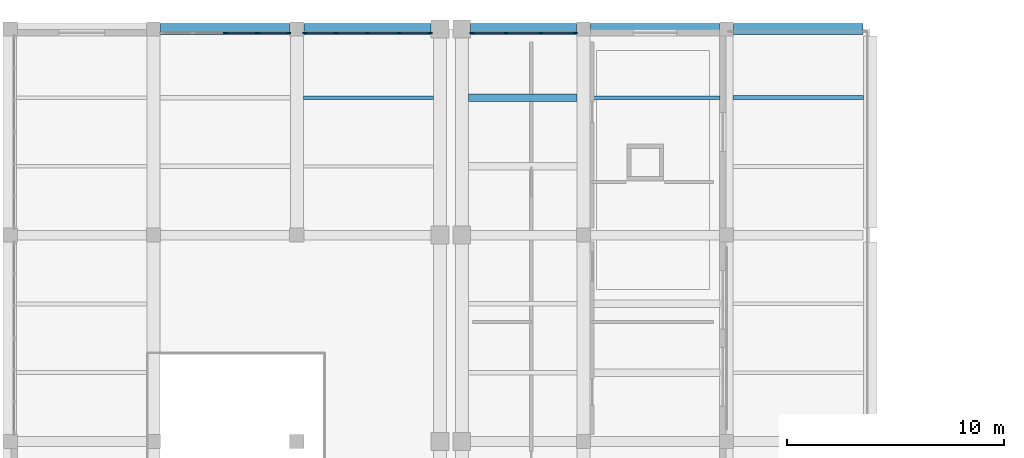
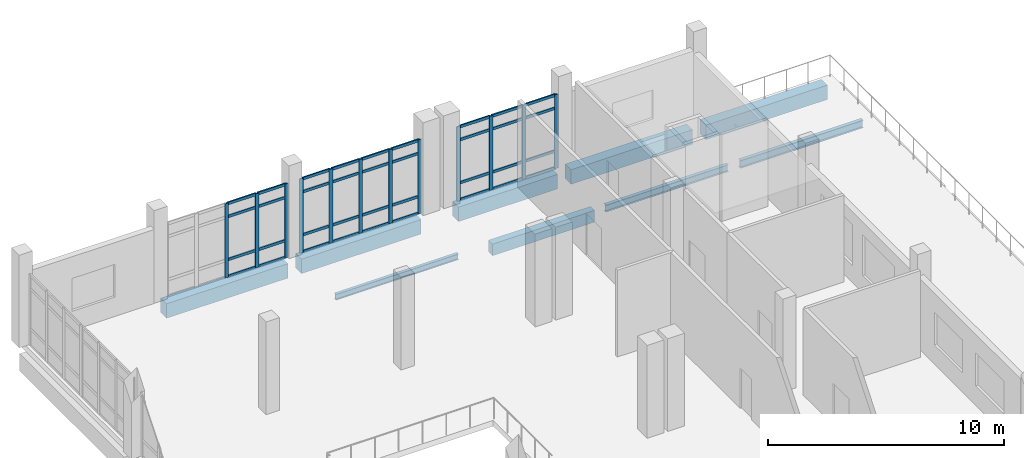
# One storey, part 31 of 73: 48 members, 9 beams, 3 elements without a shape of their own.
"""IFC4 building model written with IfcOpenShell, lengths in metres."""

from ifc_helpers import new_model, si_unit, direction, frame, origin, origin_2d, place, context, subcontext, project, spatial, rectangle, i_section, extrude, material, layer, layer_set, material_profile, profile_set, type_object, element, aggregate, save


model = new_model("IFC4")

# Units and contexts
model_context = context("Model", 3, precision=1e-05, world=origin(), true_north=direction((0.0, 1.0)))
body_context = subcontext(model_context, "Body", "Model", "MODEL_VIEW")
ifc_project = project(units=[si_unit("LENGTHUNIT", "METRE"), si_unit("AREAUNIT", "SQUARE_METRE"), si_unit("VOLUMEUNIT", "CUBIC_METRE"), si_unit("PLANEANGLEUNIT", "RADIAN"), si_unit("MASSUNIT", "GRAM", prefix="KILO")], contexts=[model_context])

# Site, building, storey
site_placement = place(None, origin())
site = spatial("IfcSite", under=ifc_project, at=site_placement, CompositionType="ELEMENT")
building_placement = place(site_placement, origin())
building = spatial("IfcBuilding", under=site, at=building_placement, Name="Kelarvand Opera House", CompositionType="ELEMENT")
storey_placement = place(building_placement, frame((0.0, 0.0, 10.199951171875)))
storey = spatial("IfcBuildingStorey", under=building, at=storey_placement, Name="L02", CompositionType="ELEMENT", Elevation=10.199951171875)

# Curtain wall, members
ifc_material_1 = material(Name="Thermally broken aluminium and low-E glazing", Category="aluminium")
ifc_layer_1 = layer(ifc_material_1, 0.179931640625, Name="Thermally broken aluminium and low-E glazing", Category="aluminium")
ifc_layer_set_1 = layer_set([ifc_layer_1], Name="Thermally broken aluminium and low-E glazing")
curtain_wall_type_1 = type_object("IfcCurtainWallType", Name="Unitised Low-E Curtain Wall 5930x3830 Mod 1450 CWF-48", PredefinedType="USERDEFINED", material=ifc_layer_set_1)
curtain_wall_1_placement = place(storey_placement, origin())
curtain_wall_1 = element("IfcCurtainWall", 1, at=curtain_wall_1_placement, inside=storey, type_object=curtain_wall_type_1, Name="V5 L02 Curtain Wall CWF-48 (194)", ObjectType="UNITISED CURTAIN WALL", PredefinedType="USERDEFINED")
ifc_material_2 = material(Name="Thermally broken anodised aluminium", Category="aluminium")
ifc_material_profile_1 = material_profile(ifc_material_2, rectangle(XDim=0.06494140625, YDim=0.179931640625, at=origin_2d()), Name="ALU MULLION 65x180", Category="aluminium")
ifc_profile_set_1 = profile_set([ifc_material_profile_1], Name="Thermally broken anodised aluminium")
member_type_1 = type_object("IfcMemberType", Name="Curtain Wall Mullion 65x180 Aluminium", PredefinedType="MULLION", material=ifc_profile_set_1)
member_1_placement = place(storey_placement, frame((105.5, 124.820068359375, 0.0), z_axis=(0.0, 0.0, 1.0), x_axis=(0.0, 1.0, 0.0)))
member_1 = element("IfcMember", 2, at=member_1_placement, type_object=member_type_1, Name="CWF-48 mullion 3", PredefinedType="MULLION", context=body_context, shape_type="SweptSolid", body=[
    extrude(rectangle(XDim=0.06494140625, YDim=0.179931640625, at=origin_2d()), origin(), (0.0, 0.0, 1.0), 3.830078125),
])
member_2_placement = place(storey_placement, frame((106.982421875, 124.820068359375, 0.0), z_axis=(0.0, 0.0, 1.0), x_axis=(0.0, 1.0, 0.0)))
member_2 = element("IfcMember", 3, at=member_2_placement, type_object=member_type_1, Name="CWF-48 mullion 4", PredefinedType="MULLION", context=body_context, shape_type="SweptSolid", body=[
    extrude(rectangle(XDim=0.06494140625, YDim=0.179931640625, at=origin_2d()), origin(), (0.0, 0.0, 1.0), 3.830078125),
])
member_3_placement = place(storey_placement, frame((108.4326171875, 124.820068359375, 0.0), z_axis=(0.0, 0.0, 1.0), x_axis=(0.0, 1.0, 0.0)))
member_3 = element("IfcMember", 4, at=member_3_placement, type_object=member_type_1, Name="CWF-48 mullion 5", PredefinedType="MULLION", context=body_context, shape_type="SweptSolid", body=[
    extrude(rectangle(XDim=0.06494140625, YDim=0.179931640625, at=origin_2d()), origin(), (0.0, 0.0, 1.0), 3.830078125),
])

ifc_layer_2 = layer(ifc_material_1, 0.179931640625, Name="Thermally broken aluminium and low-E glazing", Category="aluminium")
ifc_layer_set_2 = layer_set([ifc_layer_2], Name="Thermally broken aluminium and low-E glazing")
curtain_wall_type_2 = type_object("IfcCurtainWallType", Name="Unitised Low-E Curtain Wall 5845x3830 Mod 1450 CWF-49", PredefinedType="USERDEFINED", material=ifc_layer_set_2)
curtain_wall_2_placement = place(storey_placement, origin())
curtain_wall_2 = element("IfcCurtainWall", 5, at=curtain_wall_2_placement, inside=storey, type_object=curtain_wall_type_2, Name="V5 L02 Curtain Wall CWF-49 (195)", ObjectType="UNITISED CURTAIN WALL", PredefinedType="USERDEFINED")
member_4_placement = place(storey_placement, frame((109.16748046875, 124.820068359375, 0.0), z_axis=(0.0, 0.0, 1.0), x_axis=(0.0, 1.0, 0.0)))
member_4 = element("IfcMember", 6, at=member_4_placement, type_object=member_type_1, Name="CWF-49 mullion 1", PredefinedType="MULLION", context=body_context, shape_type="SweptSolid", body=[
    extrude(rectangle(XDim=0.06494140625, YDim=0.179931640625, at=origin_2d()), origin(), (0.0, 0.0, 1.0), 3.830078125),
])
member_5_placement = place(storey_placement, frame((110.59619140625, 124.820068359375, 0.0), z_axis=(0.0, 0.0, 1.0), x_axis=(0.0, 1.0, 0.0)))
member_5 = element("IfcMember", 7, at=member_5_placement, type_object=member_type_1, Name="CWF-49 mullion 2", PredefinedType="MULLION", context=body_context, shape_type="SweptSolid", body=[
    extrude(rectangle(XDim=0.06494140625, YDim=0.179931640625, at=origin_2d()), origin(), (0.0, 0.0, 1.0), 3.830078125),
])
member_6_placement = place(storey_placement, frame((112.0576171875, 124.820068359375, 0.0), z_axis=(0.0, 0.0, 1.0), x_axis=(0.0, 1.0, 0.0)))
member_6 = element("IfcMember", 8, at=member_6_placement, type_object=member_type_1, Name="CWF-49 mullion 3", PredefinedType="MULLION", context=body_context, shape_type="SweptSolid", body=[
    extrude(rectangle(XDim=0.06494140625, YDim=0.179931640625, at=origin_2d()), origin(), (0.0, 0.0, 1.0), 3.830078125),
])
member_7_placement = place(storey_placement, frame((113.518798828125, 124.820068359375, 0.0), z_axis=(0.0, 0.0, 1.0), x_axis=(0.0, 1.0, 0.0)))
member_7 = element("IfcMember", 9, at=member_7_placement, type_object=member_type_1, Name="CWF-49 mullion 4", PredefinedType="MULLION", context=body_context, shape_type="SweptSolid", body=[
    extrude(rectangle(XDim=0.06494140625, YDim=0.179931640625, at=origin_2d()), origin(), (0.0, 0.0, 1.0), 3.830078125),
])
member_8_placement = place(storey_placement, frame((114.947509765625, 124.820068359375, 0.0), z_axis=(0.0, 0.0, 1.0), x_axis=(0.0, 1.0, 0.0)))
member_8 = element("IfcMember", 10, at=member_8_placement, type_object=member_type_1, Name="CWF-49 mullion 5", PredefinedType="MULLION", context=body_context, shape_type="SweptSolid", body=[
    extrude(rectangle(XDim=0.06494140625, YDim=0.179931640625, at=origin_2d()), origin(), (0.0, 0.0, 1.0), 3.830078125),
])

ifc_layer_3 = layer(ifc_material_1, 0.179931640625, Name="Thermally broken aluminium and low-E glazing", Category="aluminium")
ifc_layer_set_3 = layer_set([ifc_layer_3], Name="Thermally broken aluminium and low-E glazing")
curtain_wall_type_3 = type_object("IfcCurtainWallType", Name="Unitised Low-E Curtain Wall 4845x3830 Mod 1450 CWF-50", PredefinedType="USERDEFINED", material=ifc_layer_set_3)
curtain_wall_3_placement = place(storey_placement, origin())
curtain_wall_3 = element("IfcCurtainWall", 11, at=curtain_wall_3_placement, inside=storey, type_object=curtain_wall_type_3, Name="V5 L02 Curtain Wall CWF-50 (196)", ObjectType="UNITISED CURTAIN WALL", PredefinedType="USERDEFINED")
member_9_placement = place(storey_placement, frame((116.8525390625, 124.820068359375, 0.0), z_axis=(0.0, 0.0, 1.0), x_axis=(0.0, 1.0, 0.0)))
member_9 = element("IfcMember", 12, at=member_9_placement, type_object=member_type_1, Name="CWF-50 mullion 1", PredefinedType="MULLION", context=body_context, shape_type="SweptSolid", body=[
    extrude(rectangle(XDim=0.06494140625, YDim=0.179931640625, at=origin_2d()), origin(), (0.0, 0.0, 1.0), 3.830078125),
])
member_10_placement = place(storey_placement, frame((118.43505859375, 124.820068359375, 0.0), z_axis=(0.0, 0.0, 1.0), x_axis=(0.0, 1.0, 0.0)))
member_10 = element("IfcMember", 13, at=member_10_placement, type_object=member_type_1, Name="CWF-50 mullion 2", PredefinedType="MULLION", context=body_context, shape_type="SweptSolid", body=[
    extrude(rectangle(XDim=0.06494140625, YDim=0.179931640625, at=origin_2d()), origin(), (0.0, 0.0, 1.0), 3.830078125),
])
member_11_placement = place(storey_placement, frame((120.050048828125, 124.820068359375, 0.0), z_axis=(0.0, 0.0, 1.0), x_axis=(0.0, 1.0, 0.0)))
member_11 = element("IfcMember", 14, at=member_11_placement, type_object=member_type_1, Name="CWF-50 mullion 3", PredefinedType="MULLION", context=body_context, shape_type="SweptSolid", body=[
    extrude(rectangle(XDim=0.06494140625, YDim=0.179931640625, at=origin_2d()), origin(), (0.0, 0.0, 1.0), 3.830078125),
])
member_12_placement = place(storey_placement, frame((121.632568359375, 124.820068359375, 0.0), z_axis=(0.0, 0.0, 1.0), x_axis=(0.0, 1.0, 0.0)))
member_12 = element("IfcMember", 15, at=member_12_placement, type_object=member_type_1, Name="CWF-50 mullion 4", PredefinedType="MULLION", context=body_context, shape_type="SweptSolid", body=[
    extrude(rectangle(XDim=0.06494140625, YDim=0.179931640625, at=origin_2d()), origin(), (0.0, 0.0, 1.0), 3.830078125),
])

# Member
ifc_material_profile_2 = material_profile(ifc_material_2, rectangle(XDim=0.06494140625, YDim=0.139892578125, at=origin_2d()), Name="ALU TRANSOM 65x140", Category="aluminium")
ifc_profile_set_2 = profile_set([ifc_material_profile_2], Name="Thermally broken anodised aluminium")
member_type_2 = type_object("IfcMemberType", Name="Curtain Wall Transom 65x140 Aluminium", PredefinedType="USERDEFINED", material=ifc_profile_set_2)
member_13_placement = place(storey_placement, frame((105.532470703125, 124.820068359375, 0.032470703125), z_axis=(1.0, 0.0, 0.0), x_axis=(0.0, 1.0, 0.0)))
member_13 = element("IfcMember", 16, at=member_13_placement, type_object=member_type_2, Name="CWF-48 transom 3.1", ObjectType="TRANSOM", PredefinedType="USERDEFINED", context=body_context, shape_type="SweptSolid", body=[
    extrude(rectangle(XDim=0.06494140625, YDim=0.139892578125, at=origin_2d()), origin(), (0.0, 0.0, 1.0), 1.41748046875),
])

member_14_placement = place(storey_placement, frame((105.532470703125, 124.820068359375, 0.900146484375), z_axis=(1.0, 0.0, 0.0), x_axis=(0.0, 1.0, 0.0)))
member_14 = element("IfcMember", 17, at=member_14_placement, type_object=member_type_2, Name="CWF-48 transom 3.2", ObjectType="TRANSOM", PredefinedType="USERDEFINED", context=body_context, shape_type="SweptSolid", body=[
    extrude(rectangle(XDim=0.06494140625, YDim=0.139892578125, at=origin_2d()), origin(), (0.0, 0.0, 1.0), 1.41748046875),
])

member_15_placement = place(storey_placement, frame((105.532470703125, 124.820068359375, 3.130126953125), z_axis=(1.0, 0.0, 0.0), x_axis=(0.0, 1.0, 0.0)))
member_15 = element("IfcMember", 18, at=member_15_placement, type_object=member_type_2, Name="CWF-48 transom 3.3", ObjectType="TRANSOM", PredefinedType="USERDEFINED", context=body_context, shape_type="SweptSolid", body=[
    extrude(rectangle(XDim=0.06494140625, YDim=0.139892578125, at=origin_2d()), origin(), (0.0, 0.0, 1.0), 1.41748046875),
])

member_16_placement = place(storey_placement, frame((105.532470703125, 124.820068359375, 3.797607421875), z_axis=(1.0, 0.0, 0.0), x_axis=(0.0, 1.0, 0.0)))
member_16 = element("IfcMember", 19, at=member_16_placement, type_object=member_type_2, Name="CWF-48 transom 3.4", ObjectType="TRANSOM", PredefinedType="USERDEFINED", context=body_context, shape_type="SweptSolid", body=[
    extrude(rectangle(XDim=0.06494140625, YDim=0.139892578125, at=origin_2d()), origin(), (0.0, 0.0, 1.0), 1.41748046875),
])

member_17_placement = place(storey_placement, frame((107.014892578125, 124.820068359375, 0.032470703125), z_axis=(1.0, 0.0, 0.0), x_axis=(0.0, 1.0, 0.0)))
member_17 = element("IfcMember", 20, at=member_17_placement, type_object=member_type_2, Name="CWF-48 transom 4.1", ObjectType="TRANSOM", PredefinedType="USERDEFINED", context=body_context, shape_type="SweptSolid", body=[
    extrude(rectangle(XDim=0.06494140625, YDim=0.139892578125, at=origin_2d()), origin(), (0.0, 0.0, 1.0), 1.385009765625),
])

member_18_placement = place(storey_placement, frame((107.014892578125, 124.820068359375, 0.900146484375), z_axis=(1.0, 0.0, 0.0), x_axis=(0.0, 1.0, 0.0)))
member_18 = element("IfcMember", 21, at=member_18_placement, type_object=member_type_2, Name="CWF-48 transom 4.2", ObjectType="TRANSOM", PredefinedType="USERDEFINED", context=body_context, shape_type="SweptSolid", body=[
    extrude(rectangle(XDim=0.06494140625, YDim=0.139892578125, at=origin_2d()), origin(), (0.0, 0.0, 1.0), 1.385009765625),
])

member_19_placement = place(storey_placement, frame((107.014892578125, 124.820068359375, 3.130126953125), z_axis=(1.0, 0.0, 0.0), x_axis=(0.0, 1.0, 0.0)))
member_19 = element("IfcMember", 22, at=member_19_placement, type_object=member_type_2, Name="CWF-48 transom 4.3", ObjectType="TRANSOM", PredefinedType="USERDEFINED", context=body_context, shape_type="SweptSolid", body=[
    extrude(rectangle(XDim=0.06494140625, YDim=0.139892578125, at=origin_2d()), origin(), (0.0, 0.0, 1.0), 1.385009765625),
])

member_20_placement = place(storey_placement, frame((107.014892578125, 124.820068359375, 3.797607421875), z_axis=(1.0, 0.0, 0.0), x_axis=(0.0, 1.0, 0.0)))
member_20 = element("IfcMember", 23, at=member_20_placement, type_object=member_type_2, Name="CWF-48 transom 4.4", ObjectType="TRANSOM", PredefinedType="USERDEFINED", context=body_context, shape_type="SweptSolid", body=[
    extrude(rectangle(XDim=0.06494140625, YDim=0.139892578125, at=origin_2d()), origin(), (0.0, 0.0, 1.0), 1.385009765625),
])

aggregate(curtain_wall_1, [member_1, member_2, member_3, member_13, member_14, member_15, member_16, member_17, member_18, member_19, member_20])

member_21_placement = place(storey_placement, frame((109.199951171875, 124.820068359375, 0.032470703125), z_axis=(1.0, 0.0, 0.0), x_axis=(0.0, 1.0, 0.0)))
member_21 = element("IfcMember", 24, at=member_21_placement, type_object=member_type_2, Name="CWF-49 transom 1.1", ObjectType="TRANSOM", PredefinedType="USERDEFINED", context=body_context, shape_type="SweptSolid", body=[
    extrude(rectangle(XDim=0.06494140625, YDim=0.139892578125, at=origin_2d()), origin(), (0.0, 0.0, 1.0), 1.36376953125),
])

member_22_placement = place(storey_placement, frame((109.199951171875, 124.820068359375, 0.900146484375), z_axis=(1.0, 0.0, 0.0), x_axis=(0.0, 1.0, 0.0)))
member_22 = element("IfcMember", 25, at=member_22_placement, type_object=member_type_2, Name="CWF-49 transom 1.2", ObjectType="TRANSOM", PredefinedType="USERDEFINED", context=body_context, shape_type="SweptSolid", body=[
    extrude(rectangle(XDim=0.06494140625, YDim=0.139892578125, at=origin_2d()), origin(), (0.0, 0.0, 1.0), 1.36376953125),
])

member_23_placement = place(storey_placement, frame((109.199951171875, 124.820068359375, 3.130126953125), z_axis=(1.0, 0.0, 0.0), x_axis=(0.0, 1.0, 0.0)))
member_23 = element("IfcMember", 26, at=member_23_placement, type_object=member_type_2, Name="CWF-49 transom 1.3", ObjectType="TRANSOM", PredefinedType="USERDEFINED", context=body_context, shape_type="SweptSolid", body=[
    extrude(rectangle(XDim=0.06494140625, YDim=0.139892578125, at=origin_2d()), origin(), (0.0, 0.0, 1.0), 1.36376953125),
])

member_24_placement = place(storey_placement, frame((109.199951171875, 124.820068359375, 3.797607421875), z_axis=(1.0, 0.0, 0.0), x_axis=(0.0, 1.0, 0.0)))
member_24 = element("IfcMember", 27, at=member_24_placement, type_object=member_type_2, Name="CWF-49 transom 1.4", ObjectType="TRANSOM", PredefinedType="USERDEFINED", context=body_context, shape_type="SweptSolid", body=[
    extrude(rectangle(XDim=0.06494140625, YDim=0.139892578125, at=origin_2d()), origin(), (0.0, 0.0, 1.0), 1.36376953125),
])

member_25_placement = place(storey_placement, frame((110.628662109375, 124.820068359375, 0.032470703125), z_axis=(1.0, 0.0, 0.0), x_axis=(0.0, 1.0, 0.0)))
member_25 = element("IfcMember", 28, at=member_25_placement, type_object=member_type_2, Name="CWF-49 transom 2.1", ObjectType="TRANSOM", PredefinedType="USERDEFINED", context=body_context, shape_type="SweptSolid", body=[
    extrude(rectangle(XDim=0.06494140625, YDim=0.139892578125, at=origin_2d()), origin(), (0.0, 0.0, 1.0), 1.396240234375),
])

member_26_placement = place(storey_placement, frame((110.628662109375, 124.820068359375, 0.900146484375), z_axis=(1.0, 0.0, 0.0), x_axis=(0.0, 1.0, 0.0)))
member_26 = element("IfcMember", 29, at=member_26_placement, type_object=member_type_2, Name="CWF-49 transom 2.2", ObjectType="TRANSOM", PredefinedType="USERDEFINED", context=body_context, shape_type="SweptSolid", body=[
    extrude(rectangle(XDim=0.06494140625, YDim=0.139892578125, at=origin_2d()), origin(), (0.0, 0.0, 1.0), 1.396240234375),
])

member_27_placement = place(storey_placement, frame((110.628662109375, 124.820068359375, 3.130126953125), z_axis=(1.0, 0.0, 0.0), x_axis=(0.0, 1.0, 0.0)))
member_27 = element("IfcMember", 30, at=member_27_placement, type_object=member_type_2, Name="CWF-49 transom 2.3", ObjectType="TRANSOM", PredefinedType="USERDEFINED", context=body_context, shape_type="SweptSolid", body=[
    extrude(rectangle(XDim=0.06494140625, YDim=0.139892578125, at=origin_2d()), origin(), (0.0, 0.0, 1.0), 1.396240234375),
])

member_28_placement = place(storey_placement, frame((110.628662109375, 124.820068359375, 3.797607421875), z_axis=(1.0, 0.0, 0.0), x_axis=(0.0, 1.0, 0.0)))
member_28 = element("IfcMember", 31, at=member_28_placement, type_object=member_type_2, Name="CWF-49 transom 2.4", ObjectType="TRANSOM", PredefinedType="USERDEFINED", context=body_context, shape_type="SweptSolid", body=[
    extrude(rectangle(XDim=0.06494140625, YDim=0.139892578125, at=origin_2d()), origin(), (0.0, 0.0, 1.0), 1.396240234375),
])

member_29_placement = place(storey_placement, frame((112.090087890625, 124.820068359375, 0.032470703125), z_axis=(1.0, 0.0, 0.0), x_axis=(0.0, 1.0, 0.0)))
member_29 = element("IfcMember", 32, at=member_29_placement, type_object=member_type_2, Name="CWF-49 transom 3.1", ObjectType="TRANSOM", PredefinedType="USERDEFINED", context=body_context, shape_type="SweptSolid", body=[
    extrude(rectangle(XDim=0.06494140625, YDim=0.139892578125, at=origin_2d()), origin(), (0.0, 0.0, 1.0), 1.396240234375),
])

member_30_placement = place(storey_placement, frame((112.090087890625, 124.820068359375, 0.900146484375), z_axis=(1.0, 0.0, 0.0), x_axis=(0.0, 1.0, 0.0)))
member_30 = element("IfcMember", 33, at=member_30_placement, type_object=member_type_2, Name="CWF-49 transom 3.2", ObjectType="TRANSOM", PredefinedType="USERDEFINED", context=body_context, shape_type="SweptSolid", body=[
    extrude(rectangle(XDim=0.06494140625, YDim=0.139892578125, at=origin_2d()), origin(), (0.0, 0.0, 1.0), 1.396240234375),
])

member_31_placement = place(storey_placement, frame((112.090087890625, 124.820068359375, 3.130126953125), z_axis=(1.0, 0.0, 0.0), x_axis=(0.0, 1.0, 0.0)))
member_31 = element("IfcMember", 34, at=member_31_placement, type_object=member_type_2, Name="CWF-49 transom 3.3", ObjectType="TRANSOM", PredefinedType="USERDEFINED", context=body_context, shape_type="SweptSolid", body=[
    extrude(rectangle(XDim=0.06494140625, YDim=0.139892578125, at=origin_2d()), origin(), (0.0, 0.0, 1.0), 1.396240234375),
])

member_32_placement = place(storey_placement, frame((112.090087890625, 124.820068359375, 3.797607421875), z_axis=(1.0, 0.0, 0.0), x_axis=(0.0, 1.0, 0.0)))
member_32 = element("IfcMember", 35, at=member_32_placement, type_object=member_type_2, Name="CWF-49 transom 3.4", ObjectType="TRANSOM", PredefinedType="USERDEFINED", context=body_context, shape_type="SweptSolid", body=[
    extrude(rectangle(XDim=0.06494140625, YDim=0.139892578125, at=origin_2d()), origin(), (0.0, 0.0, 1.0), 1.396240234375),
])

member_33_placement = place(storey_placement, frame((113.55126953125, 124.820068359375, 0.032470703125), z_axis=(1.0, 0.0, 0.0), x_axis=(0.0, 1.0, 0.0)))
member_33 = element("IfcMember", 36, at=member_33_placement, type_object=member_type_2, Name="CWF-49 transom 4.1", ObjectType="TRANSOM", PredefinedType="USERDEFINED", context=body_context, shape_type="SweptSolid", body=[
    extrude(rectangle(XDim=0.06494140625, YDim=0.139892578125, at=origin_2d()), origin(), (0.0, 0.0, 1.0), 1.36376953125),
])

member_34_placement = place(storey_placement, frame((113.55126953125, 124.820068359375, 0.900146484375), z_axis=(1.0, 0.0, 0.0), x_axis=(0.0, 1.0, 0.0)))
member_34 = element("IfcMember", 37, at=member_34_placement, type_object=member_type_2, Name="CWF-49 transom 4.2", ObjectType="TRANSOM", PredefinedType="USERDEFINED", context=body_context, shape_type="SweptSolid", body=[
    extrude(rectangle(XDim=0.06494140625, YDim=0.139892578125, at=origin_2d()), origin(), (0.0, 0.0, 1.0), 1.36376953125),
])

member_35_placement = place(storey_placement, frame((113.55126953125, 124.820068359375, 3.130126953125), z_axis=(1.0, 0.0, 0.0), x_axis=(0.0, 1.0, 0.0)))
member_35 = element("IfcMember", 38, at=member_35_placement, type_object=member_type_2, Name="CWF-49 transom 4.3", ObjectType="TRANSOM", PredefinedType="USERDEFINED", context=body_context, shape_type="SweptSolid", body=[
    extrude(rectangle(XDim=0.06494140625, YDim=0.139892578125, at=origin_2d()), origin(), (0.0, 0.0, 1.0), 1.36376953125),
])

member_36_placement = place(storey_placement, frame((113.55126953125, 124.820068359375, 3.797607421875), z_axis=(1.0, 0.0, 0.0), x_axis=(0.0, 1.0, 0.0)))
member_36 = element("IfcMember", 39, at=member_36_placement, type_object=member_type_2, Name="CWF-49 transom 4.4", ObjectType="TRANSOM", PredefinedType="USERDEFINED", context=body_context, shape_type="SweptSolid", body=[
    extrude(rectangle(XDim=0.06494140625, YDim=0.139892578125, at=origin_2d()), origin(), (0.0, 0.0, 1.0), 1.36376953125),
])

aggregate(curtain_wall_2, [member_4, member_5, member_6, member_7, member_8, member_21, member_22, member_23, member_24, member_25, member_26, member_27, member_28, member_29, member_30, member_31, member_32, member_33, member_34, member_35, member_36])

member_37_placement = place(storey_placement, frame((116.885009765625, 124.820068359375, 0.032470703125), z_axis=(1.0, 0.0, 0.0), x_axis=(0.0, 1.0, 0.0)))
member_37 = element("IfcMember", 40, at=member_37_placement, type_object=member_type_2, Name="CWF-50 transom 1.1", ObjectType="TRANSOM", PredefinedType="USERDEFINED", context=body_context, shape_type="SweptSolid", body=[
    extrude(rectangle(XDim=0.06494140625, YDim=0.139892578125, at=origin_2d()), origin(), (0.0, 0.0, 1.0), 1.517578125),
])

member_38_placement = place(storey_placement, frame((116.885009765625, 124.820068359375, 0.900146484375), z_axis=(1.0, 0.0, 0.0), x_axis=(0.0, 1.0, 0.0)))
member_38 = element("IfcMember", 41, at=member_38_placement, type_object=member_type_2, Name="CWF-50 transom 1.2", ObjectType="TRANSOM", PredefinedType="USERDEFINED", context=body_context, shape_type="SweptSolid", body=[
    extrude(rectangle(XDim=0.06494140625, YDim=0.139892578125, at=origin_2d()), origin(), (0.0, 0.0, 1.0), 1.517578125),
])

member_39_placement = place(storey_placement, frame((116.885009765625, 124.820068359375, 3.130126953125), z_axis=(1.0, 0.0, 0.0), x_axis=(0.0, 1.0, 0.0)))
member_39 = element("IfcMember", 42, at=member_39_placement, type_object=member_type_2, Name="CWF-50 transom 1.3", ObjectType="TRANSOM", PredefinedType="USERDEFINED", context=body_context, shape_type="SweptSolid", body=[
    extrude(rectangle(XDim=0.06494140625, YDim=0.139892578125, at=origin_2d()), origin(), (0.0, 0.0, 1.0), 1.517578125),
])

member_40_placement = place(storey_placement, frame((116.885009765625, 124.820068359375, 3.797607421875), z_axis=(1.0, 0.0, 0.0), x_axis=(0.0, 1.0, 0.0)))
member_40 = element("IfcMember", 43, at=member_40_placement, type_object=member_type_2, Name="CWF-50 transom 1.4", ObjectType="TRANSOM", PredefinedType="USERDEFINED", context=body_context, shape_type="SweptSolid", body=[
    extrude(rectangle(XDim=0.06494140625, YDim=0.139892578125, at=origin_2d()), origin(), (0.0, 0.0, 1.0), 1.517578125),
])

member_41_placement = place(storey_placement, frame((118.467529296875, 124.820068359375, 0.032470703125), z_axis=(1.0, 0.0, 0.0), x_axis=(0.0, 1.0, 0.0)))
member_41 = element("IfcMember", 44, at=member_41_placement, type_object=member_type_2, Name="CWF-50 transom 2.1", ObjectType="TRANSOM", PredefinedType="USERDEFINED", context=body_context, shape_type="SweptSolid", body=[
    extrude(rectangle(XDim=0.06494140625, YDim=0.139892578125, at=origin_2d()), origin(), (0.0, 0.0, 1.0), 1.550048828125),
])

member_42_placement = place(storey_placement, frame((118.467529296875, 124.820068359375, 0.900146484375), z_axis=(1.0, 0.0, 0.0), x_axis=(0.0, 1.0, 0.0)))
member_42 = element("IfcMember", 45, at=member_42_placement, type_object=member_type_2, Name="CWF-50 transom 2.2", ObjectType="TRANSOM", PredefinedType="USERDEFINED", context=body_context, shape_type="SweptSolid", body=[
    extrude(rectangle(XDim=0.06494140625, YDim=0.139892578125, at=origin_2d()), origin(), (0.0, 0.0, 1.0), 1.550048828125),
])

member_43_placement = place(storey_placement, frame((118.467529296875, 124.820068359375, 3.130126953125), z_axis=(1.0, 0.0, 0.0), x_axis=(0.0, 1.0, 0.0)))
member_43 = element("IfcMember", 46, at=member_43_placement, type_object=member_type_2, Name="CWF-50 transom 2.3", ObjectType="TRANSOM", PredefinedType="USERDEFINED", context=body_context, shape_type="SweptSolid", body=[
    extrude(rectangle(XDim=0.06494140625, YDim=0.139892578125, at=origin_2d()), origin(), (0.0, 0.0, 1.0), 1.550048828125),
])

member_44_placement = place(storey_placement, frame((118.467529296875, 124.820068359375, 3.797607421875), z_axis=(1.0, 0.0, 0.0), x_axis=(0.0, 1.0, 0.0)))
member_44 = element("IfcMember", 47, at=member_44_placement, type_object=member_type_2, Name="CWF-50 transom 2.4", ObjectType="TRANSOM", PredefinedType="USERDEFINED", context=body_context, shape_type="SweptSolid", body=[
    extrude(rectangle(XDim=0.06494140625, YDim=0.139892578125, at=origin_2d()), origin(), (0.0, 0.0, 1.0), 1.550048828125),
])

member_45_placement = place(storey_placement, frame((120.08251953125, 124.820068359375, 0.032470703125), z_axis=(1.0, 0.0, 0.0), x_axis=(0.0, 1.0, 0.0)))
member_45 = element("IfcMember", 48, at=member_45_placement, type_object=member_type_2, Name="CWF-50 transom 3.1", ObjectType="TRANSOM", PredefinedType="USERDEFINED", context=body_context, shape_type="SweptSolid", body=[
    extrude(rectangle(XDim=0.06494140625, YDim=0.139892578125, at=origin_2d()), origin(), (0.0, 0.0, 1.0), 1.517578125),
])

member_46_placement = place(storey_placement, frame((120.08251953125, 124.820068359375, 0.900146484375), z_axis=(1.0, 0.0, 0.0), x_axis=(0.0, 1.0, 0.0)))
member_46 = element("IfcMember", 49, at=member_46_placement, type_object=member_type_2, Name="CWF-50 transom 3.2", ObjectType="TRANSOM", PredefinedType="USERDEFINED", context=body_context, shape_type="SweptSolid", body=[
    extrude(rectangle(XDim=0.06494140625, YDim=0.139892578125, at=origin_2d()), origin(), (0.0, 0.0, 1.0), 1.517578125),
])

member_47_placement = place(storey_placement, frame((120.08251953125, 124.820068359375, 3.130126953125), z_axis=(1.0, 0.0, 0.0), x_axis=(0.0, 1.0, 0.0)))
member_47 = element("IfcMember", 50, at=member_47_placement, type_object=member_type_2, Name="CWF-50 transom 3.3", ObjectType="TRANSOM", PredefinedType="USERDEFINED", context=body_context, shape_type="SweptSolid", body=[
    extrude(rectangle(XDim=0.06494140625, YDim=0.139892578125, at=origin_2d()), origin(), (0.0, 0.0, 1.0), 1.517578125),
])

member_48_placement = place(storey_placement, frame((120.08251953125, 124.820068359375, 3.797607421875), z_axis=(1.0, 0.0, 0.0), x_axis=(0.0, 1.0, 0.0)))
member_48 = element("IfcMember", 51, at=member_48_placement, type_object=member_type_2, Name="CWF-50 transom 3.4", ObjectType="TRANSOM", PredefinedType="USERDEFINED", context=body_context, shape_type="SweptSolid", body=[
    extrude(rectangle(XDim=0.06494140625, YDim=0.139892578125, at=origin_2d()), origin(), (0.0, 0.0, 1.0), 1.517578125),
])

aggregate(curtain_wall_3, [member_9, member_10, member_11, member_12, member_37, member_38, member_39, member_40, member_41, member_42, member_43, member_44, member_45, member_46, member_47, member_48])

# Beams
ifc_material_3 = material(Name="Concrete C35/45", Category="concrete")
ifc_material_profile_3 = material_profile(ifc_material_3, rectangle(XDim=0.35009765625, YDim=0.60009765625, at=origin_2d()), Name="RC 350x600", Category="concrete")
ifc_profile_set_3 = profile_set([ifc_material_profile_3], Name="Concrete C35/45")
beam_type_1 = type_object("IfcBeamType", Name="Structural Beam RC 350x600 BM-RC350x600", PredefinedType="BEAM", material=ifc_profile_set_3)
beam_1_placement = place(storey_placement, frame((116.699951171875, 121.833251953125, -0.599853515625), z_axis=(1.0, 0.0, 0.0), x_axis=(0.0, 1.0, 0.0)))
element("IfcBeam", 52, at=beam_1_placement, inside=storey, type_object=beam_type_1, Name="V5 L02 Beam BM-RC350x600", PredefinedType="BEAM", context=body_context, shape_type="SweptSolid", body=[
    extrude(rectangle(XDim=0.35009765625, YDim=0.60009765625, at=origin_2d()), origin(), (0.0, 0.0, 1.0), 5.0),
])
ifc_material_4 = material(Name="Steel S355", Category="steel")
ifc_material_profile_4 = material_profile(ifc_material_4, i_section(OverallWidth=0.14990234375, OverallDepth=0.300048828125, WebThickness=0.007080078125, FlangeThickness=0.0107421875, at=origin_2d()), Name="IPE 300", Category="steel")
ifc_profile_set_4 = profile_set([ifc_material_profile_4], Name="Steel S355")
beam_type_2 = type_object("IfcBeamType", Name="Structural Joist IPE 300 JS-IPE300", PredefinedType="JOIST", material=ifc_profile_set_4)
beam_2_placement = place(storey_placement, frame((109.10009765625, 121.833251953125, -0.449951171875), z_axis=(1.0, 0.0, 0.0), x_axis=(0.0, 1.0, 0.0)))
element("IfcBeam", 53, at=beam_2_placement, inside=storey, type_object=beam_type_2, Name="V5 L02 Beam JS-IPE300", PredefinedType="JOIST", context=body_context, shape_type="SweptSolid", body=[
    extrude(i_section(OverallWidth=0.14990234375, OverallDepth=0.300048828125, WebThickness=0.007080078125, FlangeThickness=0.0107421875, at=origin_2d()), origin(), (0.0, 0.0, 1.0), 6.0),
])
ifc_material_profile_5 = material_profile(ifc_material_4, i_section(OverallWidth=0.169921875, OverallDepth=0.360107421875, WebThickness=0.008056640625, FlangeThickness=0.0126953125, at=origin_2d()), Name="IPE 360", Category="steel")
ifc_profile_set_5 = profile_set([ifc_material_profile_5], Name="Steel S355")
beam_type_3 = type_object("IfcBeamType", Name="Structural Joist IPE 360 JS-IPE360", PredefinedType="JOIST", material=ifc_profile_set_5)
beam_3_placement = place(storey_placement, frame((122.300048828125, 121.833251953125, -0.47998046875), z_axis=(1.0, 0.0, 0.0), x_axis=(0.0, 1.0, 0.0)))
element("IfcBeam", 54, at=beam_3_placement, inside=storey, type_object=beam_type_3, Name="V5 L02 Beam JS-IPE360", PredefinedType="JOIST", context=body_context, shape_type="SweptSolid", body=[
    extrude(i_section(OverallWidth=0.169921875, OverallDepth=0.360107421875, WebThickness=0.008056640625, FlangeThickness=0.0126953125, at=origin_2d()), origin(), (0.0, 0.0, 1.0), 6.0),
])
ifc_material_profile_6 = material_profile(ifc_material_4, i_section(OverallWidth=0.179931640625, OverallDepth=0.39990234375, WebThickness=0.008544921875, FlangeThickness=0.013427734375, at=origin_2d()), Name="IPE 400", Category="steel")
ifc_profile_set_6 = profile_set([ifc_material_profile_6], Name="Steel S355")
beam_type_4 = type_object("IfcBeamType", Name="Structural Joist IPE 400 JS-IPE400", PredefinedType="JOIST", material=ifc_profile_set_6)
beam_4_placement = place(storey_placement, frame((128.89990234375, 121.833251953125, -0.5), z_axis=(1.0, 0.0, 0.0), x_axis=(0.0, 1.0, 0.0)))
element("IfcBeam", 55, at=beam_4_placement, inside=storey, type_object=beam_type_4, Name="V5 L02 Beam JS-IPE400", PredefinedType="JOIST", context=body_context, shape_type="SweptSolid", body=[
    extrude(i_section(OverallWidth=0.179931640625, OverallDepth=0.39990234375, WebThickness=0.008544921875, FlangeThickness=0.013427734375, at=origin_2d()), origin(), (0.0, 0.0, 1.0), 6.0),
])
ifc_material_5 = material(Name="Concrete C40/50", Category="concrete")
ifc_material_profile_7 = material_profile(ifc_material_5, rectangle(XDim=0.5, YDim=0.75, at=origin_2d()), Name="RC 500x750", Category="concrete")
ifc_profile_set_7 = profile_set([ifc_material_profile_7], Name="Concrete C40/50")
beam_type_5 = type_object("IfcBeamType", Name="Structural Spandrel RC 500x750 SP-RC500x750E", PredefinedType="SPANDREL", material=ifc_profile_set_7)
beam_5_placement = place(storey_placement, frame((102.52490234375, 125.0, -0.675048828125), z_axis=(1.0, 0.0, 0.0), x_axis=(0.0, 1.0, 0.0)))
element("IfcBeam", 56, at=beam_5_placement, inside=storey, type_object=beam_type_5, Name="V5 L02 Beam SP-RC500x750E", PredefinedType="SPANDREL", context=body_context, shape_type="SweptSolid", body=[
    extrude(rectangle(XDim=0.5, YDim=0.75, at=origin_2d()), origin(), (0.0, 0.0, 1.0), 5.9501953125),
])
beam_6_placement = place(storey_placement, frame((109.125, 125.0, -0.675048828125), z_axis=(1.0, 0.0, 0.0), x_axis=(0.0, 1.0, 0.0)))
element("IfcBeam", 57, at=beam_6_placement, inside=storey, type_object=beam_type_5, Name="V5 L02 Beam SP-RC500x750E", PredefinedType="SPANDREL", context=body_context, shape_type="SweptSolid", body=[
    extrude(rectangle(XDim=0.5, YDim=0.75, at=origin_2d()), origin(), (0.0, 0.0, 1.0), 5.864990234375),
])
beam_7_placement = place(storey_placement, frame((116.81005859375, 125.0, -0.675048828125), z_axis=(1.0, 0.0, 0.0), x_axis=(0.0, 1.0, 0.0)))
element("IfcBeam", 58, at=beam_7_placement, inside=storey, type_object=beam_type_5, Name="V5 L02 Beam SP-RC500x750E", PredefinedType="SPANDREL", context=body_context, shape_type="SweptSolid", body=[
    extrude(rectangle(XDim=0.5, YDim=0.75, at=origin_2d()), origin(), (0.0, 0.0, 1.0), 4.864990234375),
])
for number, where, z_axis, x_axis, name in (
    (59, (122.324951171875, 125.0, -0.675048828125), (1.0, 0.0, 0.0), (0.0, 1.0, 0.0), "V5 L02 Beam SP-RC500x750E"),
    (60, (128.925048828125, 125.0, -0.675048828125), (1.0, 0.0, 0.0), (0.0, 1.0, 0.0), "V5 L02 Beam SP-RC500x750E"),
):
    element("IfcBeam", number, at=place(storey_placement, frame(where, z_axis=z_axis, x_axis=x_axis)), inside=storey, type_object=beam_type_5, Name=name, PredefinedType="SPANDREL", context=body_context, shape_type="SweptSolid", body=[
        extrude(rectangle(XDim=0.5, YDim=0.75, at=origin_2d()), origin(), (0.0, 0.0, 1.0), 5.949951171875),
    ])

save(model, "model.ifc")
